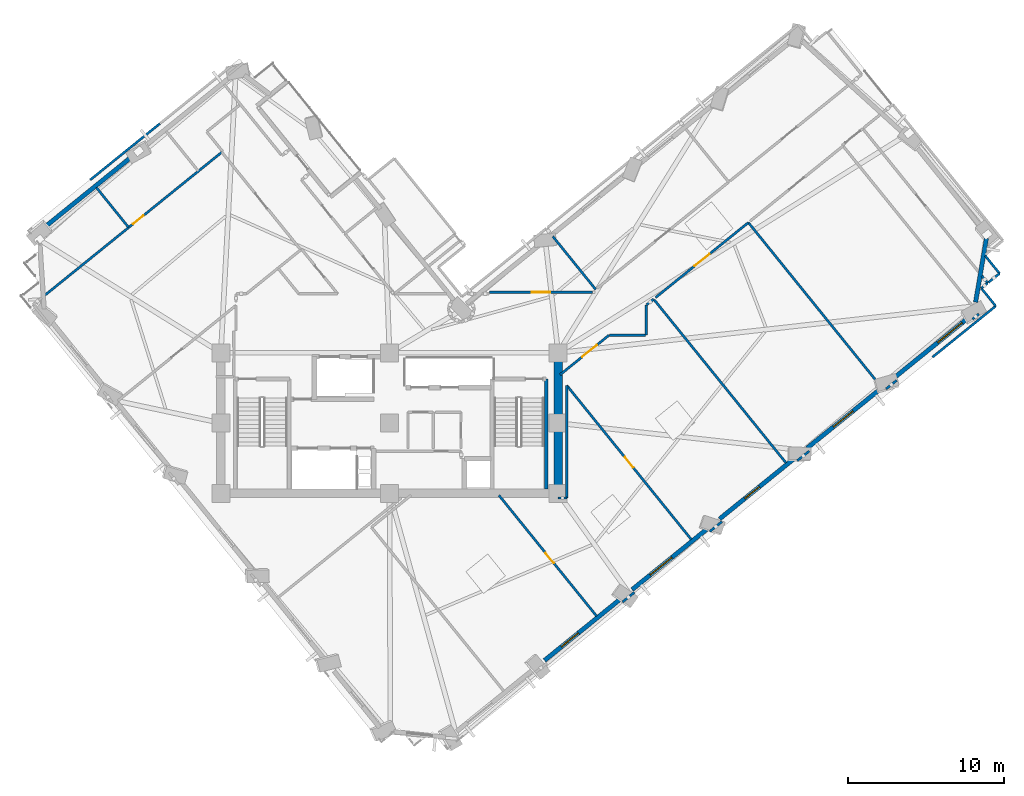
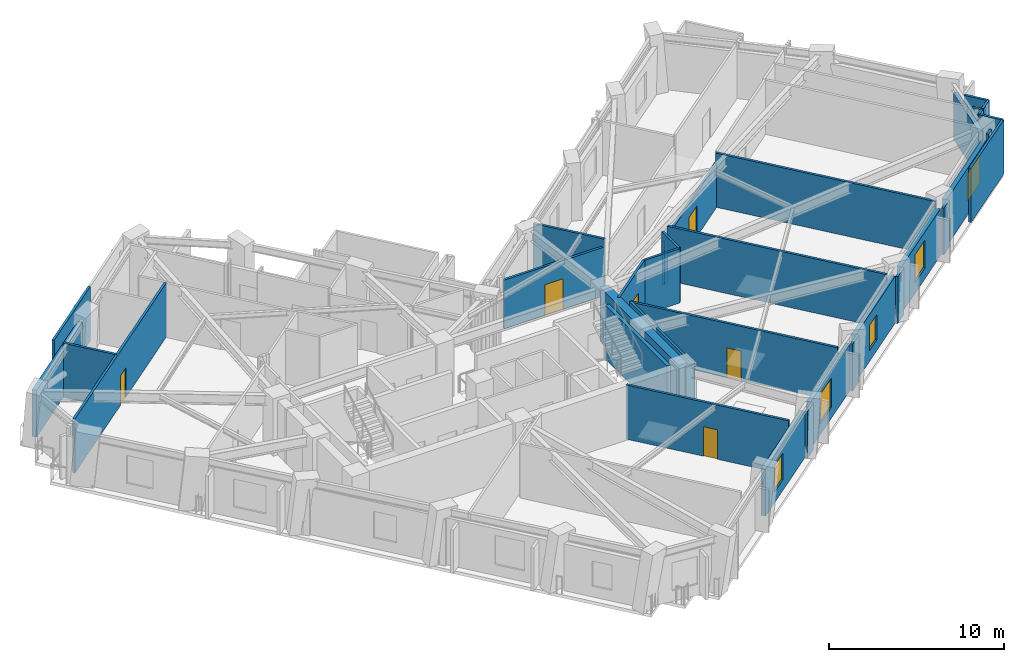
# One storey, part 7 of 14: 36 walls, 6 doors, 5 windows, 11 openings.
"""IFC4 building model written with IfcOpenShell, lengths in metres."""

from ifc_helpers import new_model, si_unit, direction, frame, frame_2d, origin, place, context, subcontext, project, spatial, rectangle, extrude, material, layer, layer_set, type_object, element, fill, save


model = new_model("IFC4")

# Units and contexts
model_context = context("Model", 3, precision=1e-05, world=origin(), true_north=direction((0.0, 1.0)))
body_context = subcontext(model_context, "Body", "Model", "MODEL_VIEW")
ifc_project = project(units=[si_unit("LENGTHUNIT", "METRE"), si_unit("AREAUNIT", "SQUARE_METRE"), si_unit("VOLUMEUNIT", "CUBIC_METRE"), si_unit("PLANEANGLEUNIT", "RADIAN"), si_unit("MASSUNIT", "GRAM", prefix="KILO")], contexts=[model_context])

# Site, building, storey
site_placement = place(None, origin())
site = spatial("IfcSite", under=ifc_project, at=site_placement, CompositionType="ELEMENT")
building_placement = place(site_placement, origin())
building = spatial("IfcBuilding", under=site, at=building_placement, Name="Gaonmaruhae Medical Tower", CompositionType="ELEMENT")
storey_placement = place(building_placement, frame((0.0, 0.0, 189.800048828125)))
storey = spatial("IfcBuildingStorey", under=building, at=storey_placement, Name="L45", CompositionType="ELEMENT", Elevation=189.800048828125)

# Wall
ifc_material_1 = material(Name="Concrete C50/60", Category="concrete")
ifc_layer_1 = layer(ifc_material_1, 0.550048828125)
ifc_layer_set_1 = layer_set([ifc_layer_1], Name="Concrete C50/60")
wall_type_1 = type_object("IfcWallType", Name="CW-550 Mid-High Core Shear Wall", PredefinedType="SHEAR", material=ifc_layer_set_1)
wall_1_placement = place(storey_placement, frame((35.60009765625, 7.800048828125, 0.0), z_axis=(0.0, 0.0, 1.0), x_axis=(0.0, 1.0, 0.0)))
element("IfcWall", 1, at=wall_1_placement, inside=storey, type_object=wall_type_1, Name="L45 Core Shear Wall CSW-E1", PredefinedType="SHEAR", context=body_context, shape_type="SweptSolid", body=[
    extrude(rectangle(XDim=9.0, YDim=0.550048828125, at=frame_2d((4.5, 0.0))), origin(), (0.0, 0.0, 1.0), 3.780029296875),
])

# Wall, opening, window
ifc_material_2 = material(Name="Precast concrete C45/55", Category="concrete")
ifc_layer_2 = layer(ifc_material_2, 0.280029296875)
ifc_layer_set_2 = layer_set([ifc_layer_2], Name="Precast concrete C45/55")
wall_type_2 = type_object("IfcWallType", Name="EW-280 Upper Precast Masonry-Frame Facade Wall", PredefinedType="SOLIDWALL", material=ifc_layer_set_2)
wall_2_placement = place(storey_placement, frame((39.573486328125, 1.0185546875, 0.0), z_axis=(0.0, 0.0, 1.0), x_axis=(-0.777676058526, -0.628665211377, 0.0)))
wall_2 = element("IfcWall", 2, at=wall_2_placement, inside=storey, type_object=wall_type_2, Name="L45 Precast Masonry-Frame Wall S02-S03", PredefinedType="SOLIDWALL", context=body_context, shape_type="SweptSolid", body=[
    extrude(rectangle(XDim=6.234130859375, YDim=0.280029296875, at=frame_2d((3.1171875, 0.0))), origin(), (0.0, 0.0, 1.0), 3.264892578125),
])
opening_1_placement = place(wall_2_placement, frame((3.44482421875, 0.0, 0.75)))
opening_1 = element("IfcOpeningElement", 3, at=opening_1_placement, cuts=wall_2, Name="Opening WN-03", PredefinedType="OPENING", context=body_context, shape_type="SweptSolid", body=[
    extrude(rectangle(XDim=1.39990234375, YDim=1.85009765625, at=frame_2d((0.699951171875, 0.925048828125))), frame((0.0, 0.14990234375, 0.0), z_axis=(0.0, -1.0, 0.0), x_axis=(1.0, 0.0, 0.0)), (0.0, 0.0, 1.0), 0.300048828125),
])
ifc_material_3 = material(Name="Anodised aluminium and Low-E double glazing", Category="aluminium")
window_type_1 = type_object("IfcWindowType", Name="WN-03 Isolation Ward Punched Window 1400x1850", PartitioningType="SINGLE_PANEL", PredefinedType="WINDOW", material=ifc_material_3)
window_1_placement = place(opening_1_placement, origin())
window_1 = element("IfcWindow", 4, at=window_1_placement, inside=storey, type_object=window_type_1, Name="L45 Modular Facade Window S02", OverallHeight=1.85009765625, OverallWidth=1.39990234375, PartitioningType="SINGLE_PANEL", PredefinedType="WINDOW", context=body_context, shape_type="SweptSolid", body=[
    extrude(rectangle(XDim=1.39990234375, YDim=1.85009765625, at=frame_2d((0.699951171875, 0.925048828125))), frame((0.0, 0.030029296875, 0.0), z_axis=(0.0, -1.0, 0.0), x_axis=(1.0, 0.0, 0.0)), (0.0, 0.0, 1.0), 0.06005859375),
])
fill(opening_1, window_1)

wall_3_placement = place(storey_placement, frame((45.167724609375, 5.54052734375, 0.0), z_axis=(0.0, 0.0, 1.0), x_axis=(-0.777696638223, -0.628639752877, 0.0)))
wall_3 = element("IfcWall", 5, at=wall_3_placement, inside=storey, type_object=wall_type_2, Name="L45 Precast Masonry-Frame Wall S03-S04", PredefinedType="SOLIDWALL", context=body_context, shape_type="SweptSolid", body=[
    extrude(rectangle(XDim=6.214111328125, YDim=0.280029296875, at=frame_2d((3.10693359375, 0.0))), origin(), (0.0, 0.0, 1.0), 3.264892578125),
])
opening_2_placement = place(wall_3_placement, frame((2.934814453125, 0.0, 0.75)))
opening_2 = element("IfcOpeningElement", 6, at=opening_2_placement, cuts=wall_3, Name="Opening WN-04", PredefinedType="OPENING", context=body_context, shape_type="SweptSolid", body=[
    extrude(rectangle(XDim=1.800048828125, YDim=2.050048828125, at=frame_2d((0.89990234375, 1.02490234375))), frame((0.0, 0.14990234375, 0.0), z_axis=(0.0, -1.0, 0.0), x_axis=(1.0, 0.0, 0.0)), (0.0, 0.0, 1.0), 0.300048828125),
])
window_type_2 = type_object("IfcWindowType", Name="WN-04 Clinic & Consult Punched Window 1800x2050", PartitioningType="SINGLE_PANEL", PredefinedType="WINDOW", material=ifc_material_3)
window_2_placement = place(opening_2_placement, origin())
window_2 = element("IfcWindow", 7, at=window_2_placement, inside=storey, type_object=window_type_2, Name="L45 Modular Facade Window S03", OverallHeight=2.050048828125, OverallWidth=1.800048828125, PartitioningType="SINGLE_PANEL", PredefinedType="WINDOW", context=body_context, shape_type="SweptSolid", body=[
    extrude(rectangle(XDim=1.800048828125, YDim=2.050048828125, at=frame_2d((0.89990234375, 1.02490234375))), frame((0.0, 0.030029296875, 0.0), z_axis=(0.0, -1.0, 0.0), x_axis=(1.0, 0.0, 0.0)), (0.0, 0.0, 1.0), 0.06005859375),
])
fill(opening_2, window_2)

wall_4_placement = place(storey_placement, frame((50.767578125, 10.06689453125, 0.0), z_axis=(0.0, 0.0, 1.0), x_axis=(-0.777701603698, -0.628633609987, 0.0)))
wall_4 = element("IfcWall", 8, at=wall_4_placement, inside=storey, type_object=wall_type_2, Name="L45 Precast Masonry-Frame Wall S04-S05", PredefinedType="SOLIDWALL", context=body_context, shape_type="SweptSolid", body=[
    extrude(rectangle(XDim=6.208740234375, YDim=0.280029296875, at=frame_2d((3.1044921875, 0.0))), origin(), (0.0, 0.0, 1.0), 3.264892578125),
])
opening_3_placement = place(wall_4_placement, frame((2.93408203125, 0.0, 0.75)))
opening_3 = element("IfcOpeningElement", 9, at=opening_3_placement, cuts=wall_4, Name="Opening WN-05", PredefinedType="OPENING", context=body_context, shape_type="SweptSolid", body=[
    extrude(rectangle(XDim=1.199951171875, YDim=1.75, at=frame_2d((0.60009765625, 0.875))), frame((0.0, 0.14990234375, 0.0), z_axis=(0.0, -1.0, 0.0), x_axis=(1.0, 0.0, 0.0)), (0.0, 0.0, 1.0), 0.300048828125),
])
window_type_3 = type_object("IfcWindowType", Name="WN-05 Support & Staff Punched Window 1200x1750", PartitioningType="SINGLE_PANEL", PredefinedType="WINDOW", material=ifc_material_3)
window_3_placement = place(opening_3_placement, origin())
window_3 = element("IfcWindow", 10, at=window_3_placement, inside=storey, type_object=window_type_3, Name="L45 Modular Facade Window S04", OverallHeight=1.75, OverallWidth=1.199951171875, PartitioningType="SINGLE_PANEL", PredefinedType="WINDOW", context=body_context, shape_type="SweptSolid", body=[
    extrude(rectangle(XDim=1.199951171875, YDim=1.75, at=frame_2d((0.60009765625, 0.875))), frame((0.0, 0.030029296875, 0.0), z_axis=(0.0, -1.0, 0.0), x_axis=(1.0, 0.0, 0.0)), (0.0, 0.0, 1.0), 0.06005859375),
])
fill(opening_3, window_3)

wall_5_placement = place(storey_placement, frame((56.373046875, 14.59814453125, 0.0), z_axis=(0.0, 0.0, 1.0), x_axis=(-0.77770639609, -0.628627681129, 0.0)))
wall_5 = element("IfcWall", 11, at=wall_5_placement, inside=storey, type_object=wall_type_2, Name="L45 Precast Masonry-Frame Wall S05-S06", PredefinedType="SOLIDWALL", context=body_context, shape_type="SweptSolid", body=[
    extrude(rectangle(XDim=6.21826171875, YDim=0.280029296875, at=frame_2d((3.109130859375, 0.0))), origin(), (0.0, 0.0, 1.0), 3.264892578125),
])
opening_4_placement = place(wall_5_placement, frame((2.4423828125, 0.0, 0.75)))
opening_4 = element("IfcOpeningElement", 12, at=opening_4_placement, cuts=wall_5, Name="Opening WN-01", PredefinedType="OPENING", context=body_context, shape_type="SweptSolid", body=[
    extrude(rectangle(XDim=1.60009765625, YDim=1.949951171875, at=frame_2d((0.800048828125, 0.97509765625))), frame((0.0, 0.14990234375, 0.0), z_axis=(0.0, -1.0, 0.0), x_axis=(1.0, 0.0, 0.0)), (0.0, 0.0, 1.0), 0.300048828125),
])
window_type_4 = type_object("IfcWindowType", Name="WN-01 Ward Punched Acoustic Window 1600x1950", PartitioningType="SINGLE_PANEL", PredefinedType="WINDOW", material=ifc_material_3)
window_4_placement = place(opening_4_placement, origin())
window_4 = element("IfcWindow", 13, at=window_4_placement, inside=storey, type_object=window_type_4, Name="L45 Modular Facade Window S05", OverallHeight=1.949951171875, OverallWidth=1.60009765625, PartitioningType="SINGLE_PANEL", PredefinedType="WINDOW", context=body_context, shape_type="SweptSolid", body=[
    extrude(rectangle(XDim=1.60009765625, YDim=1.949951171875, at=frame_2d((0.800048828125, 0.97509765625))), frame((0.0, 0.030029296875, 0.0), z_axis=(0.0, -1.0, 0.0), x_axis=(1.0, 0.0, 0.0)), (0.0, 0.0, 1.0), 0.06005859375),
])
fill(opening_4, window_4)

wall_6_placement = place(storey_placement, frame((61.984375, 19.134033203125, 0.0), z_axis=(0.0, 0.0, 1.0), x_axis=(-0.777691861755, -0.628645661848, 0.0)))
wall_6 = element("IfcWall", 14, at=wall_6_placement, inside=storey, type_object=wall_type_2, Name="L45 Precast Masonry-Frame Wall S06-S07", PredefinedType="SOLIDWALL", context=body_context, shape_type="SweptSolid", body=[
    extrude(rectangle(XDim=6.242431640625, YDim=0.280029296875, at=frame_2d((3.12109375, 0.0))), origin(), (0.0, 0.0, 1.0), 3.264892578125),
])
opening_5_placement = place(wall_6_placement, frame((0.667724609375, 0.0, 0.75)))
opening_5 = element("IfcOpeningElement", 15, at=opening_5_placement, cuts=wall_6, Name="Opening WN-02", PredefinedType="OPENING", context=body_context, shape_type="SweptSolid", body=[
    extrude(rectangle(XDim=2.0, YDim=1.949951171875, at=frame_2d((1.0, 0.97509765625))), frame((0.0, 0.14990234375, 0.0), z_axis=(0.0, -1.0, 0.0), x_axis=(1.0, 0.0, 0.0)), (0.0, 0.0, 1.0), 0.300048828125),
])
window_type_5 = type_object("IfcWindowType", Name="WN-02 Double-Bed Ward Punched Window 2000x1950", PartitioningType="SINGLE_PANEL", PredefinedType="WINDOW", material=ifc_material_3)
window_5_placement = place(opening_5_placement, origin())
window_5 = element("IfcWindow", 16, at=window_5_placement, inside=storey, type_object=window_type_5, Name="L45 Modular Facade Window S06", OverallHeight=1.949951171875, OverallWidth=2.0, PartitioningType="SINGLE_PANEL", PredefinedType="WINDOW", context=body_context, shape_type="SweptSolid", body=[
    extrude(rectangle(XDim=2.0, YDim=1.949951171875, at=frame_2d((1.0, 0.97509765625))), frame((0.0, 0.030029296875, 0.0), z_axis=(0.0, -1.0, 0.0), x_axis=(1.0, 0.0, 0.0)), (0.0, 0.0, 1.0), 0.06005859375),
])
fill(opening_5, window_5)

# Walls
wall_7_placement = place(storey_placement, frame((63.0224609375, 24.129150390625, 0.0), z_axis=(0.0, 0.0, 1.0), x_axis=(-0.166795761072, -0.985991467554, 0.0)))
element("IfcWall", 17, at=wall_7_placement, inside=storey, type_object=wall_type_2, Name="L45 Precast Masonry-Frame Wall S07-E01", PredefinedType="SOLIDWALL", context=body_context, shape_type="SweptSolid", body=[
    extrude(rectangle(XDim=4.145263671875, YDim=0.280029296875, at=frame_2d((2.07275390625, 0.0))), origin(), (0.0, 0.0, 1.0), 3.264892578125),
])
wall_8_placement = place(storey_placement, frame((2.5859375, 24.739990234375, 0.0), z_axis=(0.0, 0.0, 1.0), x_axis=(0.777703732124, 0.628630976838, 0.0)))
element("IfcWall", 18, at=wall_8_placement, inside=storey, type_object=wall_type_2, Name="L45 Precast Masonry-Frame Wall N02-N03", PredefinedType="SOLIDWALL", context=body_context, shape_type="SweptSolid", body=[
    extrude(rectangle(XDim=7.269775390625, YDim=0.280029296875, at=frame_2d((3.634765625, 0.0))), origin(), (0.0, 0.0, 1.0), 3.264892578125),
])

# Wall, opening, door
ifc_material_4 = material(Name="Gypsum board partition", Category="gypsum")
ifc_layer_3 = layer(ifc_material_4, 0.14990234375)
ifc_layer_set_3 = layer_set([ifc_layer_3], Name="Gypsum board partition")
wall_type_3 = type_object("IfcWallType", Name="PW-150 Rated Clinical Corridor Partition", PredefinedType="PARTITIONING", material=ifc_layer_set_3)
wall_9_placement = place(storey_placement, frame((31.806884765625, 7.675048828125, 0.0), z_axis=(0.0, 0.0, 1.0), x_axis=(0.628606219848, -0.777723742963, 0.0)))
wall_9 = element("IfcWall", 19, at=wall_9_placement, inside=storey, type_object=wall_type_3, Name="L45 Interior Partition L45-SUP02-11", PredefinedType="PARTITIONING", context=body_context, shape_type="SweptSolid", body=[
    extrude(rectangle(XDim=9.944580078125, YDim=0.14990234375, at=frame_2d((4.97216796875, 0.0))), origin(), (0.0, 0.0, 1.0), 3.780029296875),
])
opening_6_placement = place(wall_9_placement, frame((4.735595703125, 0.0, 0.0)))
opening_6 = element("IfcOpeningElement", 20, at=opening_6_placement, cuts=wall_9, Name="Opening AD-01", PredefinedType="OPENING", context=body_context, shape_type="SweptSolid", body=[
    extrude(rectangle(XDim=0.860107421875, YDim=2.06005859375, at=frame_2d((0.43017578125, 1.030029296875))), frame((0.0, 0.0849609375, 0.0), z_axis=(0.0, -1.0, 0.0), x_axis=(1.0, 0.0, 0.0)), (0.0, 0.0, 1.0), 0.169921875),
])
ifc_material_5 = material(Name="Powder-coated steel access door", Category="steel")
door_type_1 = type_object("IfcDoorType", Name="AD-01 Riser & Closet Access Fire Door 860x2060", OperationType="NOTDEFINED", PredefinedType="DOOR", material=ifc_material_5)
door_1_placement = place(opening_6_placement, origin())
door_1 = element("IfcDoor", 21, at=door_1_placement, inside=storey, type_object=door_type_1, Name="L45 Clinical Biomedical Charting Office Sliding Door", OperationType="SLIDING_TO_LEFT", OverallHeight=2.06005859375, OverallWidth=0.860107421875, PredefinedType="DOOR", context=body_context, shape_type="SweptSolid", body=[
    extrude(rectangle(XDim=0.860107421875, YDim=2.06005859375, at=frame_2d((0.43017578125, 1.030029296875))), frame((0.0, 0.02490234375, 0.0), z_axis=(0.0, -1.0, 0.0), x_axis=(1.0, 0.0, 0.0)), (0.0, 0.0, 1.0), 0.050048828125),
])
fill(opening_6, door_1)

wall_10_placement = place(storey_placement, frame((36.14990234375, 14.7099609375, 0.0), z_axis=(0.0, 0.0, 1.0), x_axis=(0.628634979592, -0.777700496613, 0.0)))
wall_10 = element("IfcWall", 22, at=wall_10_placement, inside=storey, type_object=wall_type_3, Name="L45 Interior Partition L45-SUP03-12", PredefinedType="PARTITIONING", context=body_context, shape_type="SweptSolid", body=[
    extrude(rectangle(XDim=12.684814453125, YDim=0.14990234375, at=frame_2d((6.34228515625, 0.0))), origin(), (0.0, 0.0, 1.0), 3.780029296875),
])
opening_7_placement = place(wall_10_placement, frame((5.912353515625, 0.0, 0.0)))
opening_7 = element("IfcOpeningElement", 23, at=opening_7_placement, cuts=wall_10, Name="Opening AD-01", PredefinedType="OPENING", context=body_context, shape_type="SweptSolid", body=[
    extrude(rectangle(XDim=0.860107421875, YDim=2.06005859375, at=frame_2d((0.43017578125, 1.030029296875))), frame((0.0, 0.0849609375, 0.0), z_axis=(0.0, -1.0, 0.0), x_axis=(1.0, 0.0, 0.0)), (0.0, 0.0, 1.0), 0.169921875),
])
door_2_placement = place(opening_7_placement, origin())
door_2 = element("IfcDoor", 24, at=door_2_placement, inside=storey, type_object=door_type_1, Name="L45 Clinical Biomedical Charting Office Sliding Door", OperationType="SLIDING_TO_LEFT", OverallHeight=2.06005859375, OverallWidth=0.860107421875, PredefinedType="DOOR", context=body_context, shape_type="SweptSolid", body=[
    extrude(rectangle(XDim=0.860107421875, YDim=2.06005859375, at=frame_2d((0.43017578125, 1.030029296875))), frame((0.0, 0.02490234375, 0.0), z_axis=(0.0, -1.0, 0.0), x_axis=(1.0, 0.0, 0.0)), (0.0, 0.0, 1.0), 0.050048828125),
])
fill(opening_7, door_2)

# Walls
wall_11_placement = place(storey_placement, frame((40.47998046875, 1.455078125, 0.0), z_axis=(0.0, 0.0, 1.0), x_axis=(-0.77816144528, -0.628064300116, 0.0)))
element("IfcWall", 25, at=wall_11_placement, inside=storey, type_object=wall_type_3, Name="L45 Interior Partition L45-SUP03-13", PredefinedType="PARTITIONING", context=body_context, shape_type="SweptSolid", body=[
    extrude(rectangle(XDim=0.979248046875, YDim=0.14990234375, at=frame_2d((0.48974609375, 0.0))), origin(), (0.0, 0.0, 1.0), 3.264892578125),
])
wall_12_placement = place(storey_placement, frame((35.60009765625, 7.5, 0.0), z_axis=(0.0, 0.0, 1.0), x_axis=(1.0, 0.0, 0.0)))
element("IfcWall", 26, at=wall_12_placement, inside=storey, type_object=wall_type_3, Name="L45 Interior Partition L45-SUP03-14", PredefinedType="PARTITIONING", context=body_context, shape_type="SweptSolid", body=[
    extrude(rectangle(XDim=0.5498046875, YDim=0.14990234375, at=frame_2d((0.27490234375, 0.0))), origin(), (0.0, 0.0, 1.0), 3.780029296875),
])
wall_13_placement = place(storey_placement, frame((36.14990234375, 7.5, 0.0), z_axis=(0.0, 0.0, 1.0), x_axis=(0.0, 1.0, 0.0)))
element("IfcWall", 27, at=wall_13_placement, inside=storey, type_object=wall_type_3, Name="L45 Interior Partition L45-SUP03-15", PredefinedType="PARTITIONING", context=body_context, shape_type="SweptSolid", body=[
    extrude(rectangle(XDim=7.2099609375, YDim=0.14990234375, at=frame_2d((3.60498046875, 0.0))), origin(), (0.0, 0.0, 1.0), 3.780029296875),
])
wall_14_placement = place(storey_placement, frame((41.22998046875, 17.949951171875, 0.0), z_axis=(0.0, 0.0, 1.0), x_axis=(0.0, 1.0, 0.0)))
element("IfcWall", 28, at=wall_14_placement, inside=storey, type_object=wall_type_3, Name="L45 Interior Partition L45-SUP04-16", PredefinedType="PARTITIONING", context=body_context, shape_type="SweptSolid", body=[
    extrude(rectangle(XDim=1.89501953125, YDim=0.14990234375, at=frame_2d((0.947509765625, 0.0))), origin(), (0.0, 0.0, 1.0), 3.780029296875),
])
wall_15_placement = place(storey_placement, frame((41.26904296875, 19.8759765625, 0.0), z_axis=(0.0, 0.0, 1.0), x_axis=(0.777394219276, 0.629013694475, 0.0)))
element("IfcWall", 29, at=wall_15_placement, inside=storey, type_object=wall_type_3, Name="L45 Interior Partition L45-SUP04-17", PredefinedType="PARTITIONING", context=body_context, shape_type="SweptSolid", body=[
    extrude(rectangle(XDim=0.571044921875, YDim=0.14990234375, at=frame_2d((0.28564453125, 0.0))), origin(), (0.0, 0.0, 1.0), 3.06494140625),
])
wall_16_placement = place(storey_placement, frame((41.743896484375, 20.196044921875, 0.0), z_axis=(0.0, 0.0, 1.0), x_axis=(0.628664865479, -0.777676338146, 0.0)))
element("IfcWall", 30, at=wall_16_placement, inside=storey, type_object=wall_type_3, Name="L45 Interior Partition L45-SUP04-18", PredefinedType="PARTITIONING", context=body_context, shape_type="SweptSolid", body=[
    extrude(rectangle(XDim=13.434814453125, YDim=0.14990234375, at=frame_2d((6.71728515625, 0.0))), origin(), (0.0, 0.0, 1.0), 3.780029296875),
])
wall_17_placement = place(storey_placement, frame((46.083984375, 5.985107421875, 0.0), z_axis=(0.0, 0.0, 1.0), x_axis=(-0.777302187171, -0.629127419382, 0.0)))
element("IfcWall", 31, at=wall_17_placement, inside=storey, type_object=wall_type_3, Name="L45 Interior Partition L45-SUP04-19", PredefinedType="PARTITIONING", context=body_context, shape_type="SweptSolid", body=[
    extrude(rectangle(XDim=0.991943359375, YDim=0.14990234375, at=frame_2d((0.49609375, 0.0))), origin(), (0.0, 0.0, 1.0), 3.264892578125),
])

# Wall, opening, door
wall_18_placement = place(storey_placement, frame((35.72509765625, 15.39599609375, 0.0), z_axis=(0.0, 0.0, 1.0), x_axis=(0.777858887674, 0.628438979429, 0.0)))
wall_18 = element("IfcWall", 32, at=wall_18_placement, inside=storey, type_object=wall_type_3, Name="L45 Interior Partition L45-SUP04-20", PredefinedType="PARTITIONING", context=body_context, shape_type="SweptSolid", body=[
    extrude(rectangle(XDim=4.01611328125, YDim=0.14990234375, at=frame_2d((2.008056640625, 0.0))), origin(), (0.0, 0.0, 1.0), 3.780029296875),
])
opening_8_placement = place(wall_18_placement, frame((1.820556640625, 0.0, 0.0)))
opening_8 = element("IfcOpeningElement", 33, at=opening_8_placement, cuts=wall_18, Name="Opening CD-02", PredefinedType="OPENING", context=body_context, shape_type="SweptSolid", body=[
    extrude(rectangle(XDim=1.199951171875, YDim=2.14990234375, at=frame_2d((0.60009765625, 1.074951171875))), frame((0.0, 0.0849609375, 0.0), z_axis=(0.0, -1.0, 0.0), x_axis=(1.0, 0.0, 0.0)), (0.0, 0.0, 1.0), 0.169921875),
])
ifc_material_6 = material(Name="Antimicrobial laminate timber fire door", Category="wood")
door_type_2 = type_object("IfcDoorType", Name="CD-02 Clinical Treatment & Procedure Door 1200x2150", OperationType="NOTDEFINED", PredefinedType="DOOR", material=ifc_material_6)
door_3_placement = place(opening_8_placement, origin())
door_3 = element("IfcDoor", 34, at=door_3_placement, inside=storey, type_object=door_type_2, Name="L45 Clinical Biomedical Charting Office Door", OperationType="SINGLE_SWING_RIGHT", OverallHeight=2.14990234375, OverallWidth=1.199951171875, PredefinedType="DOOR", context=body_context, shape_type="SweptSolid", body=[
    extrude(rectangle(XDim=1.199951171875, YDim=2.14990234375, at=frame_2d((0.60009765625, 1.074951171875))), frame((0.0, 0.02490234375, 0.0), z_axis=(0.0, -1.0, 0.0), x_axis=(1.0, 0.0, 0.0)), (0.0, 0.0, 1.0), 0.050048828125),
])
fill(opening_8, door_3)

# Wall
wall_19_placement = place(storey_placement, frame((38.89892578125, 17.919921875, 0.0), z_axis=(0.0, 0.0, 1.0), x_axis=(1.0, 0.0, 0.0)))
element("IfcWall", 35, at=wall_19_placement, inside=storey, type_object=wall_type_3, Name="L45 Interior Partition L45-SUP04-21", PredefinedType="PARTITIONING", context=body_context, shape_type="SweptSolid", body=[
    extrude(rectangle(XDim=2.291015625, YDim=0.14990234375, at=frame_2d((1.1455078125, 0.0))), origin(), (0.0, 0.0, 1.0), 3.780029296875),
])

# Wall, opening, door
wall_20_placement = place(storey_placement, frame((41.8369140625, 20.3359375, 0.0), z_axis=(0.0, 0.0, 1.0), x_axis=(0.777713450533, 0.628618953628, 0.0)))
wall_20 = element("IfcWall", 36, at=wall_20_placement, inside=storey, type_object=wall_type_3, Name="L45 Interior Partition L45-SUP05-22", PredefinedType="PARTITIONING", context=body_context, shape_type="SweptSolid", body=[
    extrude(rectangle(XDim=7.640625, YDim=0.14990234375, at=frame_2d((3.8203125, 0.0))), origin(), (0.0, 0.0, 1.0), 3.06494140625),
])
opening_9_placement = place(wall_20_placement, frame((3.22021484375, 0.0, 0.0)))
opening_9 = element("IfcOpeningElement", 37, at=opening_9_placement, cuts=wall_20, Name="Opening CD-02", PredefinedType="OPENING", context=body_context, shape_type="SweptSolid", body=[
    extrude(rectangle(XDim=1.199951171875, YDim=2.14990234375, at=frame_2d((0.60009765625, 1.074951171875))), frame((0.0, 0.0849609375, 0.0), z_axis=(0.0, -1.0, 0.0), x_axis=(1.0, 0.0, 0.0)), (0.0, 0.0, 1.0), 0.169921875),
])
door_4_placement = place(opening_9_placement, origin())
door_4 = element("IfcDoor", 38, at=door_4_placement, inside=storey, type_object=door_type_2, Name="L45 Clinical Biomedical Charting Office Door", OperationType="SINGLE_SWING_LEFT", OverallHeight=2.14990234375, OverallWidth=1.199951171875, PredefinedType="DOOR", context=body_context, shape_type="SweptSolid", body=[
    extrude(rectangle(XDim=1.199951171875, YDim=2.14990234375, at=frame_2d((0.60009765625, 1.074951171875))), frame((0.0, 0.02490234375, 0.0), z_axis=(0.0, -1.0, 0.0), x_axis=(1.0, 0.0, 0.0)), (0.0, 0.0, 1.0), 0.050048828125),
])
fill(opening_9, door_4)

# Walls
wall_21_placement = place(storey_placement, frame((47.779052734375, 25.138916015625, 0.0), z_axis=(0.0, 0.0, 1.0), x_axis=(0.628603815075, -0.777725686649, 0.0)))
element("IfcWall", 39, at=wall_21_placement, inside=storey, type_object=wall_type_3, Name="L45 Interior Partition L45-SUP05-23", PredefinedType="PARTITIONING", context=body_context, shape_type="SweptSolid", body=[
    extrude(rectangle(XDim=13.485595703125, YDim=0.14990234375, at=frame_2d((6.74267578125, 0.0))), origin(), (0.0, 0.0, 1.0), 3.780029296875),
])
wall_22_placement = place(storey_placement, frame((51.681884765625, 10.510009765625, 0.0), z_axis=(0.0, 0.0, 1.0), x_axis=(-0.777778836383, -0.628538051095, 0.0)))
element("IfcWall", 40, at=wall_22_placement, inside=storey, type_object=wall_type_3, Name="L45 Interior Partition L45-SUP05-24", PredefinedType="PARTITIONING", context=body_context, shape_type="SweptSolid", body=[
    extrude(rectangle(XDim=0.98974609375, YDim=0.14990234375, at=frame_2d((0.494873046875, 0.0))), origin(), (0.0, 0.0, 1.0), 3.264892578125),
])
wall_23_placement = place(storey_placement, frame((62.5390625, 19.287109375, 0.0), z_axis=(0.0, 0.0, 1.0), x_axis=(-0.777244870707, -0.629198228668, 0.0)))
element("IfcWall", 41, at=wall_23_placement, inside=storey, type_object=wall_type_3, Name="L45 Interior Partition L45-SUP06-27", PredefinedType="PARTITIONING", context=body_context, shape_type="SweptSolid", body=[
    extrude(rectangle(XDim=0.527587890625, YDim=0.14990234375, at=frame_2d((0.263671875, 0.0))), origin(), (0.0, 0.0, 1.0), 3.780029296875),
])
wall_24_placement = place(storey_placement, frame((57.27392578125, 15.031005859375, 0.0), z_axis=(0.0, 0.0, 1.0), x_axis=(-0.777323313419, -0.629101316494, 0.0)))
element("IfcWall", 42, at=wall_24_placement, inside=storey, type_object=wall_type_3, Name="L45 Interior Partition L45-SUP06-28", PredefinedType="PARTITIONING", context=body_context, shape_type="SweptSolid", body=[
    extrude(rectangle(XDim=0.86962890625, YDim=0.14990234375, at=frame_2d((0.434814453125, 0.0))), origin(), (0.0, 0.0, 1.0), 3.264892578125),
])

# Wall, opening, door
wall_25_placement = place(storey_placement, frame((2.739013671875, 20.490966796875, 0.0), z_axis=(0.0, 0.0, 1.0), x_axis=(0.777660203735, 0.628684823681, 0.0)))
wall_25 = element("IfcWall", 43, at=wall_25_placement, inside=storey, type_object=wall_type_3, Name="L45 Interior Partition L45-WOF09-42", PredefinedType="PARTITIONING", context=body_context, shape_type="SweptSolid", body=[
    extrude(rectangle(XDim=14.55908203125, YDim=0.14990234375, at=frame_2d((7.279541015625, 0.0))), origin(), (0.0, 0.0, 1.0), 3.780029296875),
])
opening_10_placement = place(wall_25_placement, frame((7.24365234375, 0.0, 0.0)))
opening_10 = element("IfcOpeningElement", 44, at=opening_10_placement, cuts=wall_25, Name="Opening AD-01", PredefinedType="OPENING", context=body_context, shape_type="SweptSolid", body=[
    extrude(rectangle(XDim=0.860107421875, YDim=2.06005859375, at=frame_2d((0.43017578125, 1.030029296875))), frame((0.0, 0.0849609375, 0.0), z_axis=(0.0, -1.0, 0.0), x_axis=(1.0, 0.0, 0.0)), (0.0, 0.0, 1.0), 0.169921875),
])
door_5_placement = place(opening_10_placement, origin())
door_5 = element("IfcDoor", 45, at=door_5_placement, inside=storey, type_object=door_type_1, Name="L45 Care Team Clinical Charting Office Sliding Door", OperationType="SLIDING_TO_LEFT", OverallHeight=2.06005859375, OverallWidth=0.860107421875, PredefinedType="DOOR", context=body_context, shape_type="SweptSolid", body=[
    extrude(rectangle(XDim=0.860107421875, YDim=2.06005859375, at=frame_2d((0.43017578125, 1.030029296875))), frame((0.0, 0.02490234375, 0.0), z_axis=(0.0, -1.0, 0.0), x_axis=(1.0, 0.0, 0.0)), (0.0, 0.0, 1.0), 0.050048828125),
])
fill(opening_10, door_5)

# Wall
wall_26_placement = place(storey_placement, frame((35.2548828125, 24.25390625, 0.0), z_axis=(0.0, 0.0, 1.0), x_axis=(0.628661828858, -0.777678792907, 0.0)))
element("IfcWall", 46, at=wall_26_placement, inside=storey, type_object=wall_type_3, Name="L45 Interior Partition L45-IE01-49", PredefinedType="PARTITIONING", context=body_context, shape_type="SweptSolid", body=[
    extrude(rectangle(XDim=4.374267578125, YDim=0.14990234375, at=frame_2d((2.18701171875, 0.0))), origin(), (0.0, 0.0, 1.0), 3.780029296875),
])

# Wall, opening, door
wall_27_placement = place(storey_placement, frame((37.79296875, 20.679931640625, 0.0), z_axis=(0.0, 0.0, 1.0), x_axis=(-1.0, 0.0, 0.0)))
wall_27 = element("IfcWall", 47, at=wall_27_placement, inside=storey, type_object=wall_type_3, Name="L45 Interior Partition L45-IE01-50", PredefinedType="PARTITIONING", context=body_context, shape_type="SweptSolid", body=[
    extrude(rectangle(XDim=6.593017578125, YDim=0.14990234375, at=frame_2d((3.29638671875, 0.0))), origin(), (0.0, 0.0, 1.0), 3.4150390625),
])
opening_11_placement = place(wall_27_placement, frame((2.696533203125, 0.0, 0.0)))
opening_11 = element("IfcOpeningElement", 48, at=opening_11_placement, cuts=wall_27, Name="Opening CD-02", PredefinedType="OPENING", context=body_context, shape_type="SweptSolid", body=[
    extrude(rectangle(XDim=1.199951171875, YDim=2.14990234375, at=frame_2d((0.60009765625, 1.074951171875))), frame((0.0, 0.0849609375, 0.0), z_axis=(0.0, -1.0, 0.0), x_axis=(1.0, 0.0, 0.0)), (0.0, 0.0, 1.0), 0.169921875),
])
door_6_placement = place(opening_11_placement, origin())
door_6 = element("IfcDoor", 49, at=door_6_placement, inside=storey, type_object=door_type_2, Name="L45 Central Clinical Nurse Station Door", OperationType="SINGLE_SWING_LEFT", OverallHeight=2.14990234375, OverallWidth=1.199951171875, PredefinedType="DOOR", context=body_context, shape_type="SweptSolid", body=[
    extrude(rectangle(XDim=1.199951171875, YDim=2.14990234375, at=frame_2d((0.60009765625, 1.074951171875))), frame((0.0, 0.02490234375, 0.0), z_axis=(0.0, -1.0, 0.0), x_axis=(1.0, 0.0, 0.0)), (0.0, 0.0, 1.0), 0.050048828125),
])
fill(opening_11, door_6)

# Walls
wall_28_placement = place(storey_placement, frame((5.632080078125, 27.87109375, 0.0), z_axis=(0.0, 0.0, 1.0), x_axis=(0.777730017108, 0.628598457275, 0.0)))
element("IfcWall", 50, at=wall_28_placement, inside=storey, type_object=wall_type_3, Name="L45 Interior Partition L45-RM02-88", PredefinedType="PARTITIONING", context=body_context, shape_type="SweptSolid", body=[
    extrude(rectangle(XDim=5.739501953125, YDim=0.14990234375, at=frame_2d((2.86962890625, 0.0))), origin(), (0.0, 0.0, 1.0), 3.780029296875),
])
wall_29_placement = place(storey_placement, frame((8.083984375, 24.837890625, 0.0), z_axis=(0.0, 0.0, 1.0), x_axis=(-0.62874427533, 0.777612137405, 0.0)))
element("IfcWall", 51, at=wall_29_placement, inside=storey, type_object=wall_type_3, Name="L45 Interior Partition L45-RM02-90", PredefinedType="PARTITIONING", context=body_context, shape_type="SweptSolid", body=[
    extrude(rectangle(XDim=3.26513671875, YDim=0.14990234375, at=frame_2d((1.632568359375, 0.0))), origin(), (0.0, 0.0, 1.0), 3.780029296875),
])
wall_30_placement = place(storey_placement, frame((63.10400390625, 21.260986328125, 0.0), z_axis=(0.0, 0.0, 1.0), x_axis=(-0.777419867084, -0.628981995182, 0.0)))
element("IfcWall", 52, at=wall_30_placement, inside=storey, type_object=wall_type_3, Name="L45 Interior Partition L45-RM05-100", PredefinedType="PARTITIONING", context=body_context, shape_type="SweptSolid", body=[
    extrude(rectangle(XDim=0.519775390625, YDim=0.14990234375, at=frame_2d((0.259765625, 0.0))), origin(), (0.0, 0.0, 1.0), 3.780029296875),
])
wall_31_placement = place(storey_placement, frame((62.699951171875, 20.93408203125, 0.0), z_axis=(0.0, 0.0, 1.0), x_axis=(0.628352563695, -0.777928695767, 0.0)))
element("IfcWall", 53, at=wall_31_placement, inside=storey, type_object=wall_type_3, Name="L45 Interior Partition L45-RM05-101", PredefinedType="PARTITIONING", context=body_context, shape_type="SweptSolid", body=[
    extrude(rectangle(XDim=1.470703125, YDim=0.14990234375, at=frame_2d((0.7353515625, 0.0))), origin(), (0.0, 0.0, 1.0), 3.780029296875),
])
wall_32_placement = place(storey_placement, frame((63.6240234375, 19.7900390625, 0.0), z_axis=(0.0, 0.0, 1.0), x_axis=(-0.777779365742, -0.628537396044, 0.0)))
element("IfcWall", 54, at=wall_32_placement, inside=storey, type_object=wall_type_3, Name="L45 Interior Partition L45-RM05-102", PredefinedType="PARTITIONING", context=body_context, shape_type="SweptSolid", body=[
    extrude(rectangle(XDim=5.219970703125, YDim=0.14990234375, at=frame_2d((2.60986328125, 0.0))), origin(), (0.0, 0.0, 1.0), 3.780029296875),
])
wall_33_placement = place(storey_placement, frame((62.73193359375, 21.721923828125, 0.0), z_axis=(0.0, 0.0, 1.0), x_axis=(0.628106839995, -0.778127108865, 0.0)))
element("IfcWall", 55, at=wall_33_placement, inside=storey, type_object=wall_type_3, Name="L45 Interior Partition L45-RM05-105", PredefinedType="PARTITIONING", context=body_context, shape_type="SweptSolid", body=[
    extrude(rectangle(XDim=0.59228515625, YDim=0.14990234375, at=frame_2d((0.296142578125, 0.0))), origin(), (0.0, 0.0, 1.0), 3.780029296875),
])
wall_34_placement = place(storey_placement, frame((62.949951171875, 23.010009765625, 0.0), z_axis=(0.0, 0.0, 1.0), x_axis=(0.62869196674, -0.777654429009, 0.0)))
element("IfcWall", 56, at=wall_34_placement, inside=storey, type_object=wall_type_3, Name="L45 Interior Partition L45-RM06-106", PredefinedType="PARTITIONING", context=body_context, shape_type="SweptSolid", body=[
    extrude(rectangle(XDim=1.45703125, YDim=0.14990234375, at=frame_2d((0.728515625, 0.0))), origin(), (0.0, 0.0, 1.0), 3.780029296875),
])
wall_35_placement = place(storey_placement, frame((63.865966796875, 21.876953125, 0.0), z_axis=(0.0, 0.0, 1.0), x_axis=(-0.777257230073, -0.629182960909, 0.0)))
element("IfcWall", 57, at=wall_35_placement, inside=storey, type_object=wall_type_3, Name="L45 Interior Partition L45-RM06-107", PredefinedType="PARTITIONING", context=body_context, shape_type="SweptSolid", body=[
    extrude(rectangle(XDim=0.919921875, YDim=0.14990234375, at=frame_2d((0.4599609375, 0.0))), origin(), (0.0, 0.0, 1.0), 3.780029296875),
])
ifc_layer_4 = layer(ifc_material_1, 0.239990234375)
ifc_layer_set_4 = layer_set([ifc_layer_4], Name="Concrete C50/60")
wall_type_4 = type_object("IfcWallType", Name="SW-240 Dogleg Stair Tight Shaft Wall", PredefinedType="SOLIDWALL", material=ifc_layer_set_4)
wall_36_placement = place(storey_placement, frame((34.830078125, 15.1201171875, 0.0), z_axis=(0.0, 0.0, 1.0), x_axis=(0.0, -1.0, 0.0)))
element("IfcWall", 58, at=wall_36_placement, inside=storey, type_object=wall_type_4, Name="L45 ST-02 Stair Shaft Wall SHW-ST-02-E", PredefinedType="SOLIDWALL", context=body_context, shape_type="SweptSolid", body=[
    extrude(rectangle(XDim=7.045166015625, YDim=0.239990234375, at=frame_2d((3.5224609375, 0.0))), origin(), (0.0, 0.0, 1.0), 3.780029296875),
])

save(model, "model.ifc")
